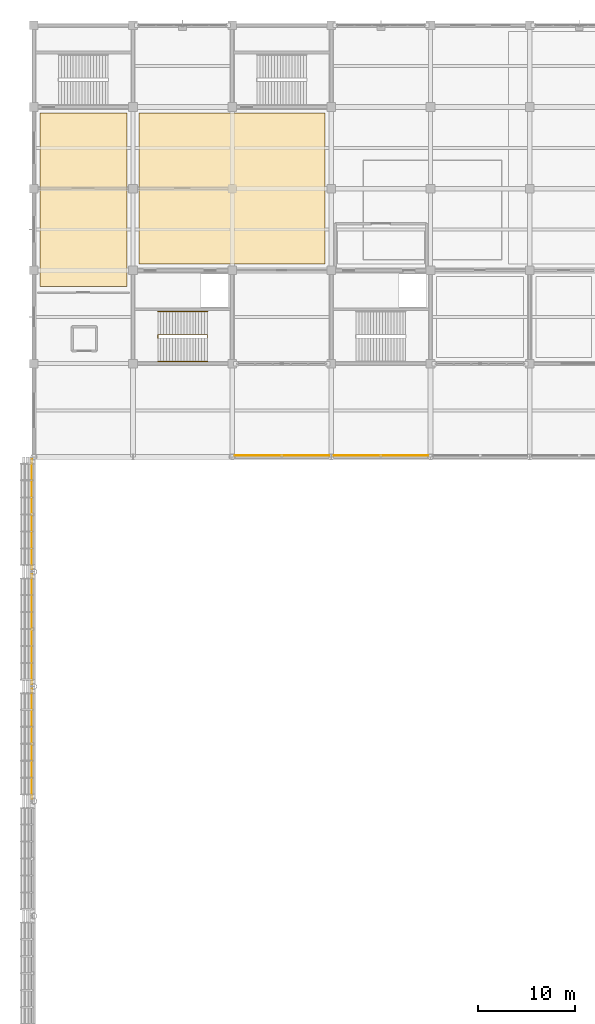
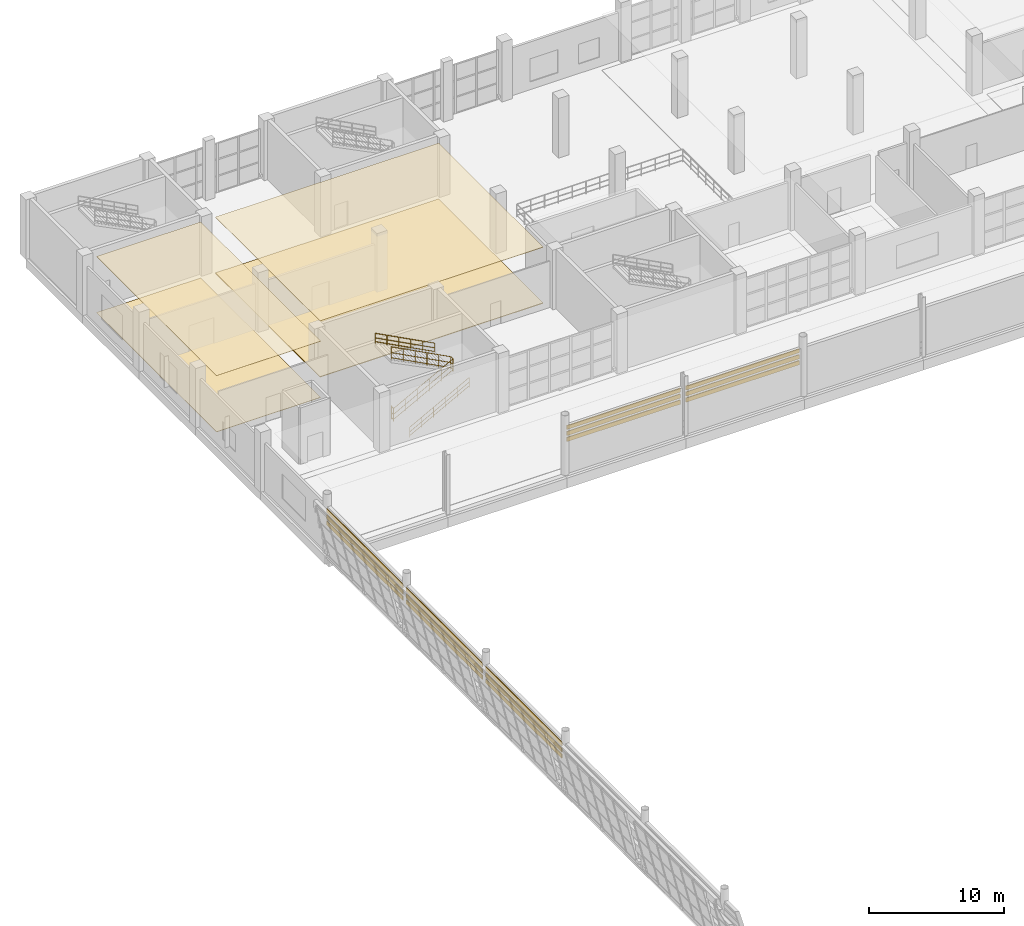
# One storey, part 160 of 175: 19 coverings, 4 railings.
"""IFC4 building model written with IfcOpenShell, lengths in metres."""

from ifc_helpers import new_model, si_unit, direction, frame, origin, origin_2d, place, context, subcontext, project, spatial, polyline, circle, outline, extrude, material, layer, layer_set, type_object, element, save


model = new_model("IFC4")

# Units and contexts
model_context = context("Model", 3, precision=1e-05, world=origin(), true_north=direction((0.0, 1.0)))
body_context = subcontext(model_context, "Body", "Model", "MODEL_VIEW")
ifc_project = project(units=[si_unit("LENGTHUNIT", "METRE"), si_unit("AREAUNIT", "SQUARE_METRE"), si_unit("VOLUMEUNIT", "CUBIC_METRE"), si_unit("PLANEANGLEUNIT", "RADIAN"), si_unit("MASSUNIT", "GRAM", prefix="KILO")], contexts=[model_context])

# Site, building, storey
site_placement = place(None, origin())
site = spatial("IfcSite", under=ifc_project, at=site_placement, CompositionType="ELEMENT")
building_placement = place(site_placement, origin())
building = spatial("IfcBuilding", under=site, at=building_placement, Name="Brelvane Convention Centre", CompositionType="ELEMENT")
storey_placement = place(building_placement, frame((0.0, 0.0, 5.39990234375)))
storey = spatial("IfcBuildingStorey", under=building, at=storey_placement, Name="L01", CompositionType="ELEMENT", Elevation=5.39990234375)

# Coverings
ifc_material_1 = material(Name="Patinated Copper-Bronze Alloy C22000")
ifc_layer_1 = layer(ifc_material_1, 0.044921875)
ifc_layer_set_1 = layer_set([ifc_layer_1], Name="Patinated Copper-Bronze Alloy C22000")
covering_type_1 = type_object("IfcCoveringType", Name="Envelope Covering CL-CU1", PredefinedType="CLADDING", material=ifc_layer_set_1)
covering_1_placement = place(storey_placement, frame((0.0, 0.0, 3.77001953125)))
element("IfcCovering", 1, at=covering_1_placement, inside=storey, type_object=covering_type_1, Name="Copper-Bronze Hull Band L01-V1W-L01-4-1", PredefinedType="CLADDING", context=body_context, shape_type="SweptSolid", body=[
    extrude(outline(polyline([(-0.14111328125, 64.43994140625), (-0.14111328125, 75.760009765625), (-0.18603515625, 75.760009765625), (-0.18603515625, 64.43994140625), (-0.14111328125, 64.43994140625)])), origin(), (0.0, 0.0, 1.0), 0.380126953125),
])
covering_2_placement = place(storey_placement, frame((0.0, 0.0, 3.77001953125)))
element("IfcCovering", 2, at=covering_2_placement, inside=storey, type_object=covering_type_1, Name="Copper-Bronze Hull Band L01-V1W-L01-5-1", PredefinedType="CLADDING", context=body_context, shape_type="SweptSolid", body=[
    extrude(outline(polyline([(-0.14111328125, 76.239990234375), (-0.14111328125, 87.56005859375), (-0.18603515625, 87.56005859375), (-0.18603515625, 76.239990234375), (-0.14111328125, 76.239990234375)])), origin(), (0.0, 0.0, 1.0), 0.380126953125),
])
covering_3_placement = place(storey_placement, frame((0.0, 0.0, 3.77001953125)))
element("IfcCovering", 3, at=covering_3_placement, inside=storey, type_object=covering_type_1, Name="Copper-Bronze Hull Band L01-V1W-L01-6-1", PredefinedType="CLADDING", context=body_context, shape_type="SweptSolid", body=[
    extrude(outline(polyline([(-0.14111328125, 88.0400390625), (-0.14111328125, 99.360107421875), (-0.18603515625, 99.360107421875), (-0.18603515625, 88.0400390625), (-0.14111328125, 88.0400390625)])), origin(), (0.0, 0.0, 1.0), 0.380126953125),
])
covering_4_placement = place(storey_placement, frame((0.0, 0.0, 3.77001953125)))
element("IfcCovering", 4, at=covering_4_placement, inside=storey, type_object=covering_type_1, Name="Copper-Bronze Hull Band L01-V1N-L01-03-1", PredefinedType="CLADDING", context=body_context, shape_type="SweptSolid", body=[
    extrude(outline(polyline([(20.639892578125, 99.740966796875), (30.360107421875, 99.740966796875), (30.360107421875, 99.785888671875), (20.639892578125, 99.785888671875), (20.639892578125, 99.740966796875)])), origin(), (0.0, 0.0, 1.0), 0.380126953125),
])
covering_5_placement = place(storey_placement, frame((0.0, 0.0, 3.77001953125)))
element("IfcCovering", 5, at=covering_5_placement, inside=storey, type_object=covering_type_1, Name="Copper-Bronze Hull Band L01-V1N-L01-04-1", PredefinedType="CLADDING", context=body_context, shape_type="SweptSolid", body=[
    extrude(outline(polyline([(30.840087890625, 99.740966796875), (40.56005859375, 99.740966796875), (40.56005859375, 99.785888671875), (30.840087890625, 99.785888671875), (30.840087890625, 99.740966796875)])), origin(), (0.0, 0.0, 1.0), 0.380126953125),
])
ifc_material_2 = material(Name="Patinated Copper-Bronze Alloy C22000")
ifc_layer_2 = layer(ifc_material_2, 0.054931640625)
ifc_layer_set_2 = layer_set([ifc_layer_2], Name="Patinated Copper-Bronze Alloy C22000")
covering_type_2 = type_object("IfcCoveringType", Name="Envelope Covering CL-CU2", PredefinedType="CLADDING", material=ifc_layer_set_2)
covering_6_placement = place(storey_placement, frame((0.0, 0.0, 3.22021484375)))
element("IfcCovering", 6, at=covering_6_placement, inside=storey, type_object=covering_type_2, Name="Copper-Bronze Hull Band L01-V1W-L01-4-2", PredefinedType="CLADDING", context=body_context, shape_type="SweptSolid", body=[
    extrude(outline(polyline([(-0.14111328125, 64.43994140625), (-0.14111328125, 75.760009765625), (-0.196044921875, 75.760009765625), (-0.196044921875, 64.43994140625), (-0.14111328125, 64.43994140625)])), origin(), (0.0, 0.0, 1.0), 0.3798828125),
])
covering_7_placement = place(storey_placement, frame((0.0, 0.0, 3.22021484375)))
element("IfcCovering", 7, at=covering_7_placement, inside=storey, type_object=covering_type_2, Name="Copper-Bronze Hull Band L01-V1W-L01-5-2", PredefinedType="CLADDING", context=body_context, shape_type="SweptSolid", body=[
    extrude(outline(polyline([(-0.14111328125, 76.239990234375), (-0.14111328125, 87.56005859375), (-0.196044921875, 87.56005859375), (-0.196044921875, 76.239990234375), (-0.14111328125, 76.239990234375)])), origin(), (0.0, 0.0, 1.0), 0.3798828125),
])
covering_8_placement = place(storey_placement, frame((0.0, 0.0, 3.22021484375)))
element("IfcCovering", 8, at=covering_8_placement, inside=storey, type_object=covering_type_2, Name="Copper-Bronze Hull Band L01-V1W-L01-6-2", PredefinedType="CLADDING", context=body_context, shape_type="SweptSolid", body=[
    extrude(outline(polyline([(-0.14111328125, 88.0400390625), (-0.14111328125, 99.360107421875), (-0.196044921875, 99.360107421875), (-0.196044921875, 88.0400390625), (-0.14111328125, 88.0400390625)])), origin(), (0.0, 0.0, 1.0), 0.3798828125),
])
covering_9_placement = place(storey_placement, frame((0.0, 0.0, 3.22021484375)))
element("IfcCovering", 9, at=covering_9_placement, inside=storey, type_object=covering_type_2, Name="Copper-Bronze Hull Band L01-V1N-L01-03-2", PredefinedType="CLADDING", context=body_context, shape_type="SweptSolid", body=[
    extrude(outline(polyline([(20.639892578125, 99.740966796875), (30.360107421875, 99.740966796875), (30.360107421875, 99.7958984375), (20.639892578125, 99.7958984375), (20.639892578125, 99.740966796875)])), origin(), (0.0, 0.0, 1.0), 0.3798828125),
])
covering_10_placement = place(storey_placement, frame((0.0, 0.0, 3.22021484375)))
element("IfcCovering", 10, at=covering_10_placement, inside=storey, type_object=covering_type_2, Name="Copper-Bronze Hull Band L01-V1N-L01-04-2", PredefinedType="CLADDING", context=body_context, shape_type="SweptSolid", body=[
    extrude(outline(polyline([(30.840087890625, 99.740966796875), (40.56005859375, 99.740966796875), (40.56005859375, 99.7958984375), (30.840087890625, 99.7958984375), (30.840087890625, 99.740966796875)])), origin(), (0.0, 0.0, 1.0), 0.3798828125),
])
ifc_material_3 = material(Name="Patinated Copper-Bronze Alloy C22000")
ifc_layer_3 = layer(ifc_material_3, 0.06494140625)
ifc_layer_set_3 = layer_set([ifc_layer_3], Name="Patinated Copper-Bronze Alloy C22000")
covering_type_3 = type_object("IfcCoveringType", Name="Envelope Covering CL-CU3", PredefinedType="CLADDING", material=ifc_layer_set_3)
covering_11_placement = place(storey_placement, frame((0.0, 0.0, 2.670166015625)))
element("IfcCovering", 11, at=covering_11_placement, inside=storey, type_object=covering_type_3, Name="Copper-Bronze Hull Band L01-V1W-L01-4-3", PredefinedType="CLADDING", context=body_context, shape_type="SweptSolid", body=[
    extrude(outline(polyline([(-0.14111328125, 64.43994140625), (-0.14111328125, 75.760009765625), (-0.2060546875, 75.760009765625), (-0.2060546875, 64.43994140625), (-0.14111328125, 64.43994140625)])), origin(), (0.0, 0.0, 1.0), 0.3798828125),
])
covering_12_placement = place(storey_placement, frame((0.0, 0.0, 2.670166015625)))
element("IfcCovering", 12, at=covering_12_placement, inside=storey, type_object=covering_type_3, Name="Copper-Bronze Hull Band L01-V1W-L01-5-3", PredefinedType="CLADDING", context=body_context, shape_type="SweptSolid", body=[
    extrude(outline(polyline([(-0.14111328125, 76.239990234375), (-0.14111328125, 87.56005859375), (-0.2060546875, 87.56005859375), (-0.2060546875, 76.239990234375), (-0.14111328125, 76.239990234375)])), origin(), (0.0, 0.0, 1.0), 0.3798828125),
])
covering_13_placement = place(storey_placement, frame((0.0, 0.0, 2.670166015625)))
element("IfcCovering", 13, at=covering_13_placement, inside=storey, type_object=covering_type_3, Name="Copper-Bronze Hull Band L01-V1W-L01-6-3", PredefinedType="CLADDING", context=body_context, shape_type="SweptSolid", body=[
    extrude(outline(polyline([(-0.14111328125, 88.0400390625), (-0.14111328125, 99.360107421875), (-0.2060546875, 99.360107421875), (-0.2060546875, 88.0400390625), (-0.14111328125, 88.0400390625)])), origin(), (0.0, 0.0, 1.0), 0.3798828125),
])
covering_14_placement = place(storey_placement, frame((0.0, 0.0, 2.670166015625)))
element("IfcCovering", 14, at=covering_14_placement, inside=storey, type_object=covering_type_3, Name="Copper-Bronze Hull Band L01-V1N-L01-03-3", PredefinedType="CLADDING", context=body_context, shape_type="SweptSolid", body=[
    extrude(outline(polyline([(20.639892578125, 99.740966796875), (30.360107421875, 99.740966796875), (30.360107421875, 99.805908203125), (20.639892578125, 99.805908203125), (20.639892578125, 99.740966796875)])), origin(), (0.0, 0.0, 1.0), 0.3798828125),
])
covering_15_placement = place(storey_placement, frame((0.0, 0.0, 2.670166015625)))
element("IfcCovering", 15, at=covering_15_placement, inside=storey, type_object=covering_type_3, Name="Copper-Bronze Hull Band L01-V1N-L01-04-3", PredefinedType="CLADDING", context=body_context, shape_type="SweptSolid", body=[
    extrude(outline(polyline([(30.840087890625, 99.740966796875), (40.56005859375, 99.740966796875), (40.56005859375, 99.805908203125), (30.840087890625, 99.805908203125), (30.840087890625, 99.740966796875)])), origin(), (0.0, 0.0, 1.0), 0.3798828125),
])
ifc_material_4 = material(Name="Moisture-Resistant Acoustic Gypsum Ceiling Tile Grade A")
ifc_layer_4 = layer(ifc_material_4, 0.033935546875)
ifc_layer_set_4 = layer_set([ifc_layer_4], Name="Moisture-Resistant Acoustic Gypsum Ceiling Tile Grade A")
covering_type_4 = type_object("IfcCoveringType", Name="Interior Finish CL-GYP-34", PredefinedType="CEILING", material=ifc_layer_set_4)
covering_16_placement = place(storey_placement, frame((0.0, 0.0, 5.086181640625)))
element("IfcCovering", 16, at=covering_16_placement, inside=storey, type_object=covering_type_4, Name="Meeting Room 201 Acoustic Ceiling (CL-GYP-34)", PredefinedType="CEILING", context=body_context, shape_type="SweptSolid", body=[
    extrude(outline(polyline([(0.6298828125, 117.1298828125), (9.570068359375, 117.1298828125), (9.570068359375, 134.969970703125), (0.6298828125, 134.969970703125), (0.6298828125, 117.1298828125)])), origin(), (0.0, 0.0, 1.0), 0.033935546875),
])
ifc_material_5 = material(Name="Moisture-Resistant Acoustic Gypsum Ceiling Tile Grade A")
ifc_layer_5 = layer(ifc_material_5, 0.0419921875)
ifc_layer_set_5 = layer_set([ifc_layer_5], Name="Moisture-Resistant Acoustic Gypsum Ceiling Tile Grade A")
covering_type_5 = type_object("IfcCoveringType", Name="Interior Finish CL-GYP-42", PredefinedType="CEILING", material=ifc_layer_set_5)
covering_17_placement = place(storey_placement, frame((0.0, 0.0, 5.078125)))
element("IfcCovering", 17, at=covering_17_placement, inside=storey, type_object=covering_type_5, Name="Meeting Room 202 Acoustic Ceiling (CL-GYP-42)", PredefinedType="CEILING", context=body_context, shape_type="SweptSolid", body=[
    extrude(outline(polyline([(10.830078125, 119.429931640625), (29.969970703125, 119.429931640625), (29.969970703125, 134.969970703125), (10.830078125, 134.969970703125), (10.830078125, 119.429931640625)])), origin(), (0.0, 0.0, 1.0), 0.0419921875),
])
ifc_material_6 = material(Name="Polished Basalt-Aggregate Terrazzo Screed Concrete M30", Category="masonry")
ifc_layer_6 = layer(ifc_material_6, 0.031982421875)
ifc_layer_set_6 = layer_set([ifc_layer_6], Name="Polished Basalt-Aggregate Terrazzo Screed Concrete M30")
covering_type_6 = type_object("IfcCoveringType", Name="Interior Finish FL-STN-32", PredefinedType="FLOORING", material=ifc_layer_set_6)
covering_18_placement = place(storey_placement, origin())
element("IfcCovering", 18, at=covering_18_placement, inside=storey, type_object=covering_type_6, Name="Meeting Room 201 Floor Finish (FL-STN-32)", PredefinedType="FLOORING", context=body_context, shape_type="SweptSolid", body=[
    extrude(outline(polyline([(0.6298828125, 117.1298828125), (9.570068359375, 117.1298828125), (9.570068359375, 134.969970703125), (0.6298828125, 134.969970703125), (0.6298828125, 117.1298828125)])), origin(), (0.0, 0.0, 1.0), 0.031982421875),
])
ifc_material_7 = material(Name="Polished Basalt-Aggregate Terrazzo Screed Concrete M30", Category="masonry")
ifc_layer_7 = layer(ifc_material_7, 0.054931640625)
ifc_layer_set_7 = layer_set([ifc_layer_7], Name="Polished Basalt-Aggregate Terrazzo Screed Concrete M30")
covering_type_7 = type_object("IfcCoveringType", Name="Interior Finish FL-STN-55", PredefinedType="FLOORING", material=ifc_layer_set_7)
covering_19_placement = place(storey_placement, origin())
element("IfcCovering", 19, at=covering_19_placement, inside=storey, type_object=covering_type_7, Name="Meeting Room 202 Floor Finish (FL-STN-55)", PredefinedType="FLOORING", context=body_context, shape_type="SweptSolid", body=[
    extrude(outline(polyline([(10.830078125, 119.429931640625), (29.969970703125, 119.429931640625), (29.969970703125, 134.969970703125), (10.830078125, 134.969970703125), (10.830078125, 119.429931640625)])), origin(), (0.0, 0.0, 1.0), 0.05517578125),
])

# Railings
ifc_material_8 = material(Name="Steel E350 (350 MPa)", Category="steel")
railing_type_1 = type_object("IfcRailingType", Name="Stair Railing GR-ST-1", PredefinedType="GUARDRAIL", material=ifc_material_8)
railing_1_placement = place(storey_placement, frame((12.75, 111.840087890625, -0.02001953125)))
element("IfcRailing", 20, at=railing_1_placement, inside=storey, type_object=railing_type_1, Name="Stair ST-06 L01 Inner Well Guard", PredefinedType="GUARDRAIL", context=body_context, shape_type="SweptSolid", body=[
    extrude(circle(Radius=0.02392578125, at=origin_2d()), frame((0.0, 0.0, 1.1259765625), z_axis=(0.882341248864, 0.0, 0.470610157724), x_axis=(0.0, 1.0, 0.0)), (0.0, 0.0, 1.0), 5.7802734375),
    extrude(circle(Radius=0.02392578125, at=origin_2d()), frame((0.0, 0.0, 0.597900390625), z_axis=(0.882341248864, 0.0, 0.470610157724), x_axis=(0.0, 1.0, 0.0)), (0.0, 0.0, 1.0), 5.7802734375),
    extrude(circle(Radius=0.02392578125, at=origin_2d()), frame((0.0, 0.0, 0.139892578125), z_axis=(0.882341248864, 0.0, 0.470610157724), x_axis=(0.0, 1.0, 0.0)), (0.0, 0.0, 1.0), 5.7802734375),
    extrude(circle(Radius=0.02392578125, at=origin_2d()), frame((5.10009765625, 0.0, 3.84619140625), z_axis=(0.0, 1.0, 0.0), x_axis=(-1.0, 0.0, 0.0)), (0.0, 0.0, 1.0), 0.31982421875),
    extrude(circle(Radius=0.02392578125, at=origin_2d()), frame((5.10009765625, 0.0, 3.318115234375), z_axis=(0.0, 1.0, 0.0), x_axis=(-1.0, 0.0, 0.0)), (0.0, 0.0, 1.0), 0.31982421875),
    extrude(circle(Radius=0.02392578125, at=origin_2d()), frame((5.10009765625, 0.0, 2.860107421875), z_axis=(0.0, 1.0, 0.0), x_axis=(-1.0, 0.0, 0.0)), (0.0, 0.0, 1.0), 0.31982421875),
    extrude(circle(Radius=0.02392578125, at=origin_2d()), frame((5.10009765625, 0.31982421875, 3.84619140625), z_axis=(-0.885227801088, 0.0, 0.465157758379), x_axis=(0.0, -1.0, 0.0)), (0.0, 0.0, 1.0), 5.76123046875),
    extrude(circle(Radius=0.02392578125, at=origin_2d()), frame((5.10009765625, 0.31982421875, 3.318115234375), z_axis=(-0.885227801088, 0.0, 0.465157758379), x_axis=(0.0, -1.0, 0.0)), (0.0, 0.0, 1.0), 5.76123046875),
    extrude(circle(Radius=0.02392578125, at=origin_2d()), frame((5.10009765625, 0.31982421875, 2.860107421875), z_axis=(-0.885227801088, 0.0, 0.465157758379), x_axis=(0.0, -1.0, 0.0)), (0.0, 0.0, 1.0), 5.76123046875),
    extrude(circle(Radius=0.02099609375, at=origin_2d()), origin(), (0.0, 0.0, 1.0), 1.101806640625),
    extrude(circle(Radius=0.02099609375, at=origin_2d()), frame((1.02001953125, 0.0, 0.5439453125)), (0.0, 0.0, 1.0), 1.101806640625),
    extrude(circle(Radius=0.02099609375, at=origin_2d()), frame((2.0400390625, 0.0, 1.088134765625)), (0.0, 0.0, 1.0), 1.101806640625),
    extrude(circle(Radius=0.02099609375, at=origin_2d()), frame((3.06005859375, 0.0, 1.632080078125)), (0.0, 0.0, 1.0), 1.101806640625),
    extrude(circle(Radius=0.02099609375, at=origin_2d()), frame((4.080078125, 0.0, 2.17626953125)), (0.0, 0.0, 1.0), 1.101806640625),
    extrude(circle(Radius=0.02099609375, at=origin_2d()), frame((5.10009765625, 0.0, 2.72021484375)), (0.0, 0.0, 1.0), 1.101806640625),
    extrude(circle(Radius=0.02099609375, at=origin_2d()), frame((5.10009765625, 0.31982421875, 2.72021484375)), (0.0, 0.0, 1.0), 1.101806640625),
    extrude(circle(Radius=0.02099609375, at=origin_2d()), frame((4.080078125, 0.31982421875, 3.256103515625)), (0.0, 0.0, 1.0), 1.101806640625),
    extrude(circle(Radius=0.02099609375, at=origin_2d()), frame((3.06005859375, 0.31982421875, 3.792236328125)), (0.0, 0.0, 1.0), 1.101806640625),
    extrude(circle(Radius=0.02099609375, at=origin_2d()), frame((2.0400390625, 0.31982421875, 4.328125)), (0.0, 0.0, 1.0), 1.101806640625),
    extrude(circle(Radius=0.02099609375, at=origin_2d()), frame((1.02001953125, 0.31982421875, 4.8642578125)), (0.0, 0.0, 1.0), 1.101806640625),
    extrude(circle(Radius=0.02099609375, at=origin_2d()), frame((0.0, 0.31982421875, 5.400146484375)), (0.0, 0.0, 1.0), 1.101806640625),
])
ifc_material_9 = material(Name="Steel E350 (350 MPa)", Category="steel")
railing_type_2 = type_object("IfcRailingType", Name="Stair Railing GR-ST-2", PredefinedType="GUARDRAIL", material=ifc_material_9)
railing_2_placement = place(storey_placement, frame((12.75, 111.840087890625, -0.02001953125)))
element("IfcRailing", 21, at=railing_2_placement, inside=storey, type_object=railing_type_2, Name="Stair ST-06 L01 Landing Well Guard", PredefinedType="GUARDRAIL", context=body_context, shape_type="SweptSolid", body=[
    extrude(circle(Radius=0.02392578125, at=origin_2d()), frame((0.0, 0.0, 1.15576171875), z_axis=(0.0, 1.0, 0.0), x_axis=(-1.0, 0.0, 0.0)), (0.0, 0.0, 1.0), 0.31982421875),
    extrude(circle(Radius=0.02392578125, at=origin_2d()), frame((0.0, 0.0, 0.613525390625), z_axis=(0.0, 1.0, 0.0), x_axis=(-1.0, 0.0, 0.0)), (0.0, 0.0, 1.0), 0.31982421875),
    extrude(circle(Radius=0.02392578125, at=origin_2d()), frame((0.0, 0.0, 0.139892578125), z_axis=(0.0, 1.0, 0.0), x_axis=(-1.0, 0.0, 0.0)), (0.0, 0.0, 1.0), 0.31982421875),
    extrude(circle(Radius=0.02099609375, at=origin_2d()), origin(), (0.0, 0.0, 1.0), 1.1318359375),
    extrude(circle(Radius=0.02099609375, at=origin_2d()), frame((0.0, 0.31982421875, 0.0)), (0.0, 0.0, 1.0), 1.1318359375),
])
ifc_material_10 = material(Name="Steel E350 (350 MPa)", Category="steel")
railing_type_3 = type_object("IfcRailingType", Name="Stair Railing HR-ST-1", PredefinedType="HANDRAIL", material=ifc_material_10)
railing_3_placement = place(storey_placement, frame((12.75, 109.429931640625, -0.02001953125)))
element("IfcRailing", 22, at=railing_3_placement, inside=storey, type_object=railing_type_3, Name="Stair ST-06 L01 Outer Handrail F1", PredefinedType="HANDRAIL", context=body_context, shape_type="SweptSolid", body=[
    extrude(circle(Radius=0.02392578125, at=origin_2d()), frame((0.0, 0.0, 0.89599609375), z_axis=(0.882341248864, 0.0, 0.470610157724), x_axis=(0.0, 1.0, 0.0)), (0.0, 0.0, 1.0), 5.7802734375),
    extrude(circle(Radius=0.02392578125, at=origin_2d()), frame((0.0, 0.0, 0.478271484375), z_axis=(0.882341248864, 0.0, 0.470610157724), x_axis=(0.0, 1.0, 0.0)), (0.0, 0.0, 1.0), 5.7802734375),
    extrude(circle(Radius=0.02392578125, at=origin_2d()), frame((0.0, 0.0, 0.139892578125), z_axis=(0.882341248864, 0.0, 0.470610157724), x_axis=(0.0, 1.0, 0.0)), (0.0, 0.0, 1.0), 5.7802734375),
    extrude(circle(Radius=0.02099609375, at=origin_2d()), origin(), (0.0, 0.0, 1.0), 0.871826171875),
    extrude(circle(Radius=0.02099609375, at=origin_2d()), frame((1.02001953125, 0.0, 0.5439453125)), (0.0, 0.0, 1.0), 0.871826171875),
    extrude(circle(Radius=0.02099609375, at=origin_2d()), frame((2.0400390625, 0.0, 1.088134765625)), (0.0, 0.0, 1.0), 0.871826171875),
    extrude(circle(Radius=0.02099609375, at=origin_2d()), frame((3.06005859375, 0.0, 1.632080078125)), (0.0, 0.0, 1.0), 0.871826171875),
    extrude(circle(Radius=0.02099609375, at=origin_2d()), frame((4.080078125, 0.0, 2.17626953125)), (0.0, 0.0, 1.0), 0.871826171875),
    extrude(circle(Radius=0.02099609375, at=origin_2d()), frame((5.10009765625, 0.0, 2.72021484375)), (0.0, 0.0, 1.0), 0.871826171875),
])
railing_4_placement = place(storey_placement, frame((17.85009765625, 114.570068359375, 2.7001953125)))
element("IfcRailing", 23, at=railing_4_placement, inside=storey, type_object=railing_type_3, Name="Stair ST-06 L01 Outer Handrail F2", PredefinedType="HANDRAIL", context=body_context, shape_type="SweptSolid", body=[
    extrude(circle(Radius=0.02392578125, at=origin_2d()), frame((0.0, 0.0, 0.89599609375), z_axis=(-0.885227801088, 0.0, 0.465157758379), x_axis=(0.0, -1.0, 0.0)), (0.0, 0.0, 1.0), 5.76123046875),
    extrude(circle(Radius=0.02392578125, at=origin_2d()), frame((0.0, 0.0, 0.478271484375), z_axis=(-0.885227801088, 0.0, 0.465157758379), x_axis=(0.0, -1.0, 0.0)), (0.0, 0.0, 1.0), 5.76123046875),
    extrude(circle(Radius=0.02392578125, at=origin_2d()), frame((0.0, 0.0, 0.139892578125), z_axis=(-0.885227801088, 0.0, 0.465157758379), x_axis=(0.0, -1.0, 0.0)), (0.0, 0.0, 1.0), 5.76123046875),
    extrude(circle(Radius=0.02099609375, at=origin_2d()), origin(), (0.0, 0.0, 1.0), 0.871826171875),
    extrude(circle(Radius=0.02099609375, at=origin_2d()), frame((-1.02001953125, 0.0, 0.535888671875)), (0.0, 0.0, 1.0), 0.871826171875),
    extrude(circle(Radius=0.02099609375, at=origin_2d()), frame((-2.0400390625, 0.0, 1.072021484375)), (0.0, 0.0, 1.0), 0.871826171875),
    extrude(circle(Radius=0.02099609375, at=origin_2d()), frame((-3.06005859375, 0.0, 1.60791015625)), (0.0, 0.0, 1.0), 0.871826171875),
    extrude(circle(Radius=0.02099609375, at=origin_2d()), frame((-4.080078125, 0.0, 2.14404296875)), (0.0, 0.0, 1.0), 0.871826171875),
    extrude(circle(Radius=0.02099609375, at=origin_2d()), frame((-5.10009765625, 0.0, 2.679931640625)), (0.0, 0.0, 1.0), 0.871826171875),
])

save(model, "model.ifc")
